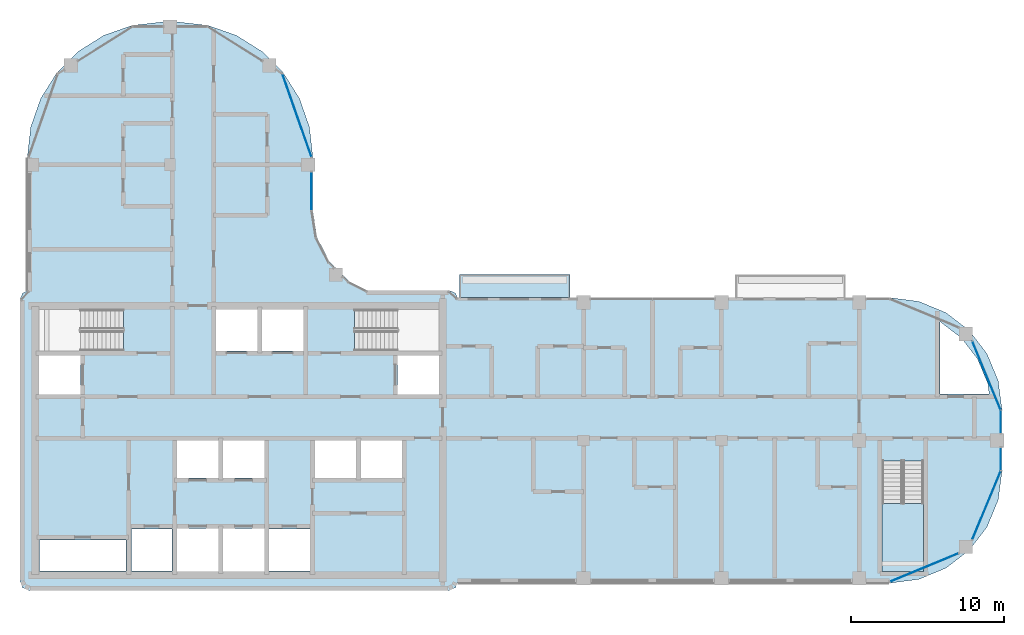
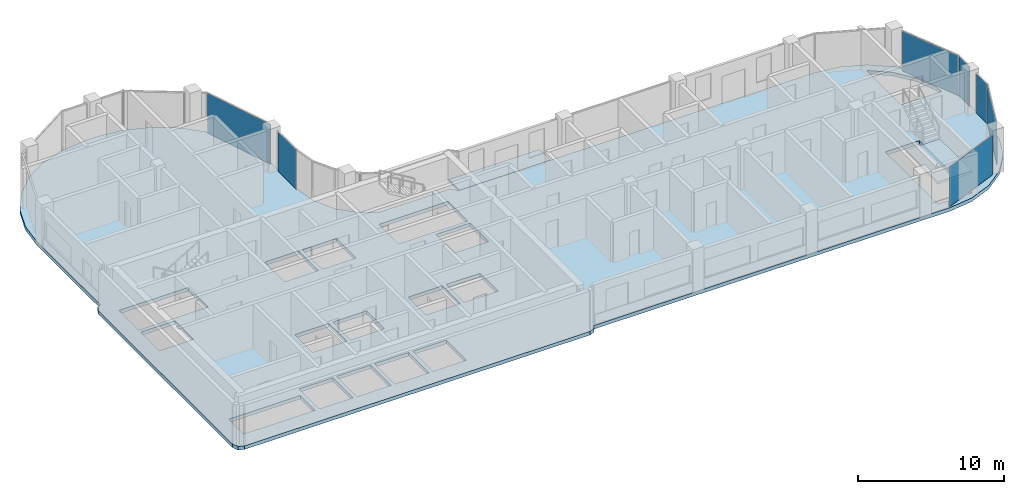
# One storey, part 7 of 19: 7 plates, 3 slabs, 8 elements without a shape of their own.
"""IFC4 building model written with IfcOpenShell, lengths in metres."""

from ifc_helpers import new_model, si_unit, direction, frame, origin, origin_2d, place, context, subcontext, project, spatial, polyline, rectangle, outline, extrude, material, layer, layer_set, type_object, element, aggregate, save


model = new_model("IFC4")

# Units and contexts
model_context = context("Model", 3, precision=1e-05, world=origin(), true_north=direction((0.0, 1.0)))
body_context = subcontext(model_context, "Body", "Model", "MODEL_VIEW")
ifc_project = project(units=[si_unit("LENGTHUNIT", "METRE"), si_unit("AREAUNIT", "SQUARE_METRE"), si_unit("VOLUMEUNIT", "CUBIC_METRE"), si_unit("PLANEANGLEUNIT", "RADIAN"), si_unit("MASSUNIT", "GRAM", prefix="KILO")], contexts=[model_context])

# Site, building, storey
site_placement = place(None, origin())
site = spatial("IfcSite", under=ifc_project, at=site_placement, CompositionType="ELEMENT")
building_placement = place(site_placement, origin())
building = spatial("IfcBuilding", under=site, at=building_placement, Name="Ogive Portal Towers", CompositionType="ELEMENT")
storey_placement = place(building_placement, frame((0.0, 0.0, 218.0)))
storey = spatial("IfcBuildingStorey", under=building, at=storey_placement, Name="L54", CompositionType="ELEMENT", Elevation=218.0)

# Slab
ifc_material_1 = material(Name="Concrete C40/50", Category="concrete")
ifc_layer_1 = layer(ifc_material_1, 0.199951171875)
ifc_layer_set_1 = layer_set([ifc_layer_1], Name="BALCONY SLAB 200")
slab_type_1 = type_object("IfcSlabType", Name="BALCONY SLAB 200", PredefinedType="FLOOR", material=ifc_layer_set_1)
slab_1_placement = place(storey_placement, frame((0.0, 0.0, -0.199951171875)))
element("IfcSlab", 1, at=slab_1_placement, inside=storey, type_object=slab_type_1, Name="Balcony T1", PredefinedType="FLOOR", context=body_context, shape_type="SweptSolid", body=[
    extrude(outline(polyline([(59.39990234375, 39.820068359375), (66.60009765625, 39.820068359375), (66.60009765625, 41.320068359375), (59.39990234375, 41.320068359375), (59.39990234375, 39.820068359375)])), origin(), (0.0, 0.0, 1.0), 0.199951171875),
])

# Curtain wall, plate
ifc_material_2 = material(Name="Glass, clear low-iron insulated glazing", Category="glass")
curtain_wall_type = type_object("IfcCurtainWallType", Name="CW FRONT RIBBON 4500", PredefinedType="NOTDEFINED", material=ifc_material_2)
curtain_wall_1_placement = place(storey_placement, origin())
curtain_wall_1 = element("IfcCurtainWall", 2, at=curtain_wall_1_placement, inside=storey, type_object=curtain_wall_type, Name="A:L54:f06:cw0", PredefinedType="NOTDEFINED")
ifc_layer_2 = layer(ifc_material_2, 0.028076171875)
ifc_layer_set_2 = layer_set([ifc_layer_2], Name="CW PANEL IGU 28")
plate_type = type_object("IfcPlateType", Name="CW PANEL IGU 28", PredefinedType="CURTAIN_PANEL", material=ifc_layer_set_2)
plate_1_placement = place(storey_placement, frame((49.739990234375, 46.77197265625, 0.0), z_axis=(0.0, 0.0, 1.0), x_axis=(0.0, 1.0, 0.0)))
plate_1 = element("IfcPlate", 3, at=plate_1_placement, type_object=plate_type, Name="panel", PredefinedType="CURTAIN_PANEL", context=body_context, shape_type="SweptSolid", body=[
    extrude(rectangle(XDim=2.496337890625, YDim=0.028076171875, at=origin_2d()), origin(), (0.0, 0.0, 1.0), 3.340087890625),
])
aggregate(curtain_wall_1, [plate_1])

curtain_wall_2_placement = place(storey_placement, origin())
curtain_wall_2 = element("IfcCurtainWall", 4, at=curtain_wall_2_placement, inside=storey, type_object=curtain_wall_type, Name="A:L54:f23:cw0~0", PredefinedType="NOTDEFINED")
plate_2_placement = place(storey_placement, frame((94.739990234375, 29.282958984375, 0.0), z_axis=(0.0, 0.0, 1.0), x_axis=(0.0, 1.0, 0.0)))
plate_2 = element("IfcPlate", 5, at=plate_2_placement, type_object=plate_type, Name="panel", PredefinedType="CURTAIN_PANEL", context=body_context, shape_type="SweptSolid", body=[
    extrude(rectangle(XDim=1.47412109375, YDim=0.028076171875, at=origin_2d()), origin(), (0.0, 0.0, 1.0), 3.340087890625),
])
aggregate(curtain_wall_2, [plate_2])

curtain_wall_3_placement = place(storey_placement, origin())
curtain_wall_3 = element("IfcCurtainWall", 6, at=curtain_wall_3_placement, inside=storey, type_object=curtain_wall_type, Name="A:L54:f23:cw0~1", PredefinedType="NOTDEFINED")
plate_3_placement = place(storey_placement, frame((94.739990234375, 31.717041015625, 0.0), z_axis=(0.0, 0.0, 1.0), x_axis=(0.0, 1.0, 0.0)))
plate_3 = element("IfcPlate", 7, at=plate_3_placement, type_object=plate_type, Name="panel", PredefinedType="CURTAIN_PANEL", context=body_context, shape_type="SweptSolid", body=[
    extrude(rectangle(XDim=1.47412109375, YDim=0.028076171875, at=origin_2d()), origin(), (0.0, 0.0, 1.0), 3.340087890625),
])
aggregate(curtain_wall_3, [plate_3])

curtain_wall_4_placement = place(storey_placement, origin())
curtain_wall_4 = element("IfcCurtainWall", 8, at=curtain_wall_4_placement, inside=storey, type_object=curtain_wall_type, Name="A:L54:f07:cwa~0", PredefinedType="NOTDEFINED")
plate_4_placement = place(storey_placement, frame((48.78466796875, 51.71630859375, 0.0), z_axis=(0.0, 0.0, 1.0), x_axis=(-0.33027906196, 0.943883330307, 0.0)))
plate_4 = element("IfcPlate", 9, at=plate_4_placement, type_object=plate_type, Name="panel", PredefinedType="CURTAIN_PANEL", context=body_context, shape_type="SweptSolid", body=[
    extrude(rectangle(XDim=5.724609375, YDim=0.028076171875, at=origin_2d()), origin(), (0.0, 0.0, 1.0), 3.340087890625),
])
aggregate(curtain_wall_4, [plate_4])

curtain_wall_5_placement = place(storey_placement, origin())
curtain_wall_5 = element("IfcCurtainWall", 10, at=curtain_wall_5_placement, inside=storey, type_object=curtain_wall_type, Name="A:L54:f21:cwa~0", PredefinedType="NOTDEFINED")
plate_5_placement = place(storey_placement, frame((89.741943359375, 22.1953125, 0.0), z_axis=(0.0, 0.0, 1.0), x_axis=(0.923879532511, 0.382683432365, 0.0)))
plate_5 = element("IfcPlate", 11, at=plate_5_placement, type_object=plate_type, Name="panel", PredefinedType="CURTAIN_PANEL", context=body_context, shape_type="SweptSolid", body=[
    extrude(rectangle(XDim=4.827880859375, YDim=0.028076171875, at=origin_2d()), origin(), (0.0, 0.0, 1.0), 3.340087890625),
])
aggregate(curtain_wall_5, [plate_5])

curtain_wall_6_placement = place(storey_placement, origin())
curtain_wall_6 = element("IfcCurtainWall", 12, at=curtain_wall_6_placement, inside=storey, type_object=curtain_wall_type, Name="A:L54:f21:cwa~1", PredefinedType="NOTDEFINED")
plate_6_placement = place(storey_placement, frame((93.8046875, 26.258056640625, 0.0), z_axis=(0.0, 0.0, 1.0), x_axis=(0.382683432365, 0.923879532511, 0.0)))
plate_6 = element("IfcPlate", 13, at=plate_6_placement, type_object=plate_type, Name="panel", PredefinedType="CURTAIN_PANEL", context=body_context, shape_type="SweptSolid", body=[
    extrude(rectangle(XDim=4.827880859375, YDim=0.028076171875, at=origin_2d()), origin(), (0.0, 0.0, 1.0), 3.340087890625),
])
aggregate(curtain_wall_6, [plate_6])

curtain_wall_7_placement = place(storey_placement, origin())
curtain_wall_7 = element("IfcCurtainWall", 14, at=curtain_wall_7_placement, inside=storey, type_object=curtain_wall_type, Name="A:L54:f24:cwa~0", PredefinedType="NOTDEFINED")
plate_7_placement = place(storey_placement, frame((93.8046875, 34.741943359375, 0.0), z_axis=(0.0, 0.0, 1.0), x_axis=(-0.382683432365, 0.923879532511, 0.0)))
plate_7 = element("IfcPlate", 15, at=plate_7_placement, type_object=plate_type, Name="panel", PredefinedType="CURTAIN_PANEL", context=body_context, shape_type="SweptSolid", body=[
    extrude(rectangle(XDim=4.827880859375, YDim=0.028076171875, at=origin_2d()), origin(), (0.0, 0.0, 1.0), 3.340087890625),
])
aggregate(curtain_wall_7, [plate_7])

# Stair, slab
stair_type = type_object("IfcStairType", Name="INT-STAIR", PredefinedType="HALF_TURN_STAIR", material=ifc_material_1)
stair_placement = place(storey_placement, origin())
stair = element("IfcStair", 16, at=stair_placement, inside=storey, type_object=stair_type, Name="L54 Exit Stair ST-A4", PredefinedType="HALF_TURN_STAIR")
ifc_layer_3 = layer(ifc_material_1, 0.199951171875)
ifc_layer_set_3 = layer_set([ifc_layer_3], Name="INT-LANDING")
slab_type_2 = type_object("IfcSlabType", Name="INT-LANDING", PredefinedType="LANDING", material=ifc_layer_set_3)
slab_2_placement = place(storey_placement, frame((0.0, 0.0, 1.64990234375)))
slab_2 = element("IfcSlab", 17, at=slab_2_placement, type_object=slab_type_2, Name="ST-A4 landing 1", PredefinedType="LANDING", context=body_context, shape_type="SweptSolid", body=[
    extrude(outline(polyline([(87.0, 26.3701171875), (87.0, 21.949951171875), (89.699951171875, 21.949951171875), (89.699951171875, 26.3701171875), (87.0, 26.3701171875)])), origin(), (0.0, 0.0, 1.0), 0.2001953125),
])
aggregate(stair, [slab_2])

# Slab
ifc_material_3 = material(Name="Concrete C45/55", Category="concrete")
ifc_layer_4 = layer(ifc_material_3, 0.300048828125)
ifc_layer_set_4 = layer_set([ifc_layer_4], Name="PT FLAT PLATE 300")
slab_type_3 = type_object("IfcSlabType", Name="PT FLAT PLATE 300", PredefinedType="FLOOR", material=ifc_layer_set_4)
slab_3_placement = place(storey_placement, frame((0.0, 0.0, -0.300048828125)))
element("IfcSlab", 18, at=slab_3_placement, inside=storey, type_object=slab_type_3, Name="Floor slab L54", PredefinedType="FLOOR", context=body_context, shape_type="SweptSolid", body=[
    extrude(outline(polyline([(89.39453125, 39.570556640625), (87.5, 39.820068359375), (59.250244140625, 39.820068359375), (59.124267578125, 40.124267578125), (58.699951171875, 40.300048828125), (53.348388671875, 40.300048828125), (52.161376953125, 40.90478515625), (50.90478515625, 42.161376953125), (50.097900390625, 43.744873046875), (49.820068359375, 45.5), (49.820068359375, 49.0), (49.598876953125, 50.962646484375), (48.946533203125, 52.826904296875), (47.895751953125, 54.499267578125), (46.499267578125, 55.895751953125), (44.826904296875, 56.946533203125), (42.962646484375, 57.598876953125), (41.0, 57.820068359375), (40.0, 57.820068359375), (38.037353515625, 57.598876953125), (36.173095703125, 56.946533203125), (34.500732421875, 55.895751953125), (33.104248046875, 54.499267578125), (32.053466796875, 52.826904296875), (31.401123046875, 50.962646484375), (31.179931640625, 49.0), (31.179931640625, 40.250244140625), (30.875732421875, 40.124267578125), (30.699951171875, 39.699951171875), (30.699951171875, 21.300048828125), (30.875732421875, 20.875732421875), (31.300048828125, 20.699951171875), (58.699951171875, 20.699951171875), (59.124267578125, 20.875732421875), (59.250244140625, 21.179931640625), (87.5, 21.179931640625), (89.39453125, 21.429443359375), (91.159912109375, 22.16064453125), (92.676025390625, 23.323974609375), (93.83935546875, 24.840087890625), (94.570556640625, 26.60546875), (94.820068359375, 28.5), (94.820068359375, 32.5), (94.570556640625, 34.39453125), (93.83935546875, 36.159912109375), (92.676025390625, 37.676025390625), (91.159912109375, 38.83935546875), (89.39453125, 39.570556640625)]), holes=[polyline([(37.6298828125, 21.969970703125), (31.969970703125, 21.969970703125), (31.969970703125, 24.0029296875), (37.6298828125, 24.0029296875), (37.6298828125, 21.969970703125)]), polyline([(40.6298828125, 21.969970703125), (37.969970703125, 21.969970703125), (37.969970703125, 24.72998046875), (40.6298828125, 24.72998046875), (40.6298828125, 21.969970703125)]), polyline([(43.64990234375, 24.75), (43.64990234375, 21.949951171875), (40.949951171875, 21.949951171875), (40.949951171875, 24.75), (43.64990234375, 24.75)]), polyline([(46.64990234375, 24.75), (46.64990234375, 21.949951171875), (43.949951171875, 21.949951171875), (43.949951171875, 24.75), (46.64990234375, 24.75)]), polyline([(43.64990234375, 30.5), (43.64990234375, 28.050048828125), (40.949951171875, 28.050048828125), (40.949951171875, 30.5), (43.64990234375, 30.5)]), polyline([(46.64990234375, 30.5), (46.64990234375, 28.050048828125), (43.949951171875, 28.050048828125), (43.949951171875, 30.5), (46.64990234375, 30.5)]), polyline([(34.64990234375, 36.050048828125), (34.64990234375, 33.5), (31.949951171875, 33.5), (31.949951171875, 36.050048828125), (34.64990234375, 36.050048828125)]), polyline([(31.951904296875, 39.048095703125), (37.447998046875, 39.048095703125), (37.447998046875, 36.35205078125), (31.951904296875, 36.35205078125), (31.951904296875, 39.048095703125)]), polyline([(46.199951171875, 39.050048828125), (46.199951171875, 36.35009765625), (43.5, 36.35009765625), (43.5, 39.050048828125), (46.199951171875, 39.050048828125)]), polyline([(49.6298828125, 21.969970703125), (46.969970703125, 21.969970703125), (46.969970703125, 24.72998046875), (49.6298828125, 24.72998046875), (49.6298828125, 21.969970703125)]), polyline([(87.001953125, 21.951904296875), (87.001953125, 29.16796875), (89.697998046875, 29.16796875), (89.697998046875, 21.951904296875), (87.001953125, 21.951904296875)]), polyline([(52.64990234375, 30.5), (52.64990234375, 28.050048828125), (49.949951171875, 28.050048828125), (49.949951171875, 30.5), (52.64990234375, 30.5)]), polyline([(55.64990234375, 30.5), (55.64990234375, 28.050048828125), (52.949951171875, 28.050048828125), (52.949951171875, 30.5), (55.64990234375, 30.5)]), polyline([(58.050048828125, 36.050048828125), (58.050048828125, 33.5), (55.35009765625, 33.5), (55.35009765625, 36.050048828125), (58.050048828125, 36.050048828125)]), polyline([(92.1767578125, 37.1767578125), (93.227783203125, 35.806884765625), (93.888671875, 34.2119140625), (93.979736328125, 33.52001953125), (90.77001953125, 33.52001953125), (90.77001953125, 38.2431640625), (90.806884765625, 38.227783203125), (92.1767578125, 37.1767578125)]), polyline([(49.199951171875, 36.35009765625), (46.5, 36.35009765625), (46.5, 39.050048828125), (49.199951171875, 39.050048828125), (49.199951171875, 36.35009765625)]), polyline([(52.552001953125, 36.35205078125), (52.552001953125, 39.048095703125), (58.048095703125, 39.048095703125), (58.048095703125, 36.35205078125), (52.552001953125, 36.35205078125)])]), origin(), (0.0, 0.0, 1.0), 0.300048828125),
])

save(model, "model.ifc")
